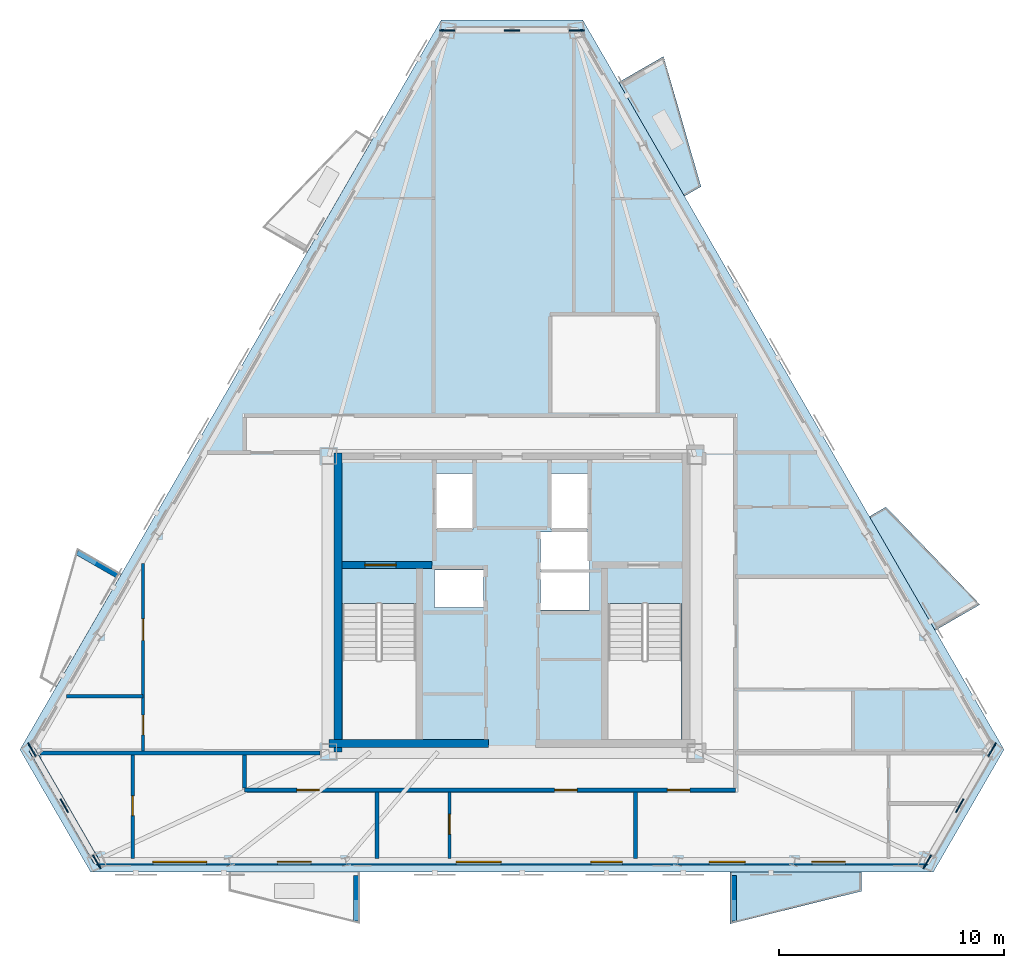
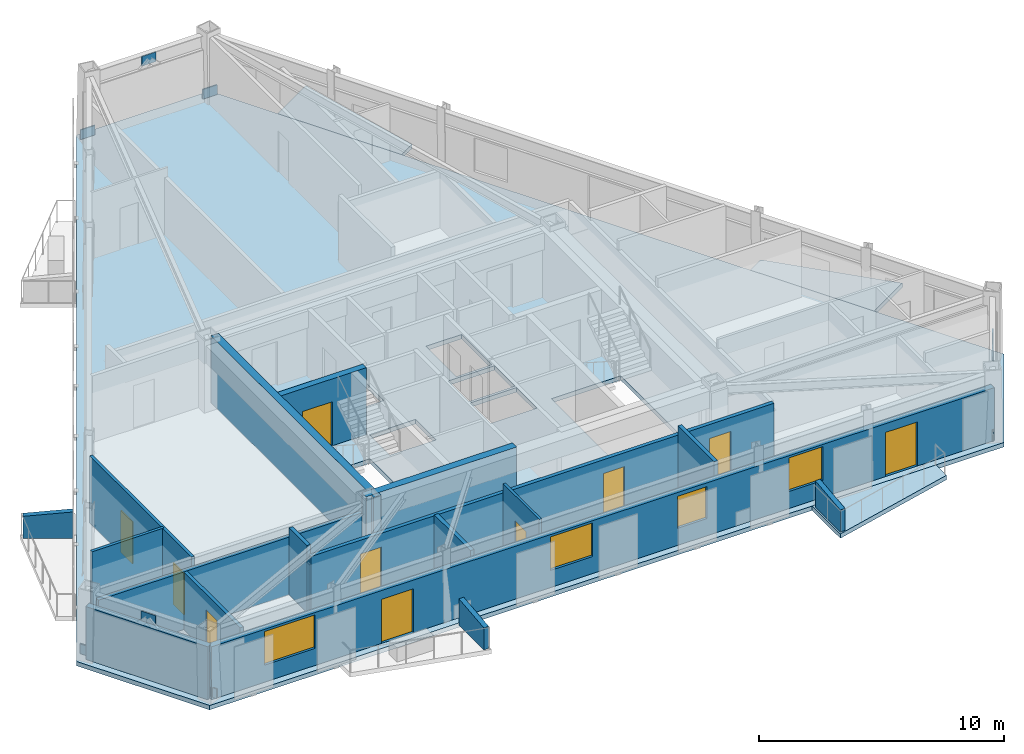
# One storey, part 2 of 8: 17 walls, 10 doors, 9 plates, 4 slabs, 4 windows, 14 openings.
"""IFC4 building model written with IfcOpenShell, lengths in metres."""

from ifc_helpers import new_model, si_unit, direction, frame, frame_2d, origin, origin_2d, place, context, subcontext, project, spatial, polyline, rectangle, outline, extrude, material, layer, layer_set, type_object, element, fill, save


model = new_model("IFC4")

# Units and contexts
model_context = context("Model", 3, precision=1e-05, world=origin(), true_north=direction((0.0, 1.0)))
body_context = subcontext(model_context, "Body", "Model", "MODEL_VIEW")
ifc_project = project(units=[si_unit("LENGTHUNIT", "METRE"), si_unit("AREAUNIT", "SQUARE_METRE"), si_unit("VOLUMEUNIT", "CUBIC_METRE"), si_unit("PLANEANGLEUNIT", "RADIAN"), si_unit("MASSUNIT", "GRAM", prefix="KILO")], contexts=[model_context])

# Site, building, storey
site_placement = place(None, origin())
site = spatial("IfcSite", under=ifc_project, at=site_placement, CompositionType="ELEMENT")
building_placement = place(site_placement, origin())
building = spatial("IfcBuilding", under=site, at=building_placement, Name="Oramaril Tower", CompositionType="ELEMENT")
storey_placement = place(building_placement, frame((0.0, 0.0, 241.5)))
storey = spatial("IfcBuildingStorey", under=building, at=storey_placement, Name="L64", CompositionType="ELEMENT", Elevation=241.5)

# Plates
ifc_material_1 = material(Name="Steel ASTM A572 Gr 50", Category="steel")
ifc_layer_1 = layer(ifc_material_1, 0.06005859375)
ifc_layer_set_1 = layer_set([ifc_layer_1], Name="PLT-G60")
plate_type = type_object("IfcPlateType", Name="PLT-G60", PredefinedType="USERDEFINED", material=ifc_layer_set_1)
for number, where, z_axis, x_axis, name in (
    (1, (17.58349609375, 8.601318359375, 2.75341796875), (0.0, 0.0, 1.0), (0.500001511499, -0.866024531118, 0.0), "L64 Chevron Brace Gusset Plate BN-1"),
    (2, (16.142578125, 11.096923828125, 0.10009765625), (0.0, 0.0, 1.0), (0.500001511499, -0.866024531118, 0.0), "L64 Chevron Brace Gusset Plate BN-1"),
    (3, (19.0244140625, 6.10546875, 0.10009765625), (0.0, 0.0, 1.0), (0.500001511499, -0.866024531118, 0.0), "L64 Chevron Brace Gusset Plate BN-1"),
    (4, (57.41650390625, 8.601318359375, 2.75341796875), (0.0, 0.0, 1.0), (0.500001511499, 0.866024531118, 0.0), "L64 Chevron Brace Gusset Plate BN-1"),
    (5, (55.9755859375, 6.10546875, 0.10009765625), (0.0, 0.0, 1.0), (0.500001511499, 0.866024531118, 0.0), "L64 Chevron Brace Gusset Plate BN-1"),
    (6, (58.857421875, 11.096923828125, 0.10009765625), (0.0, 0.0, 1.0), (0.500001511499, 0.866024531118, 0.0), "L64 Chevron Brace Gusset Plate BN-1"),
    (7, (37.5, 43.09765625, 2.75341796875), (0.0, 0.0, 1.0), (-1.0, 0.0, 0.0), "L64 Chevron Brace Gusset Plate BN-1"),
    (8, (40.3818359375, 43.09765625, 0.10009765625), (0.0, 0.0, 1.0), (-1.0, 0.0, 0.0), "L64 Chevron Brace Gusset Plate BN-1"),
    (9, (34.6181640625, 43.09765625, 0.10009765625), (0.0, 0.0, 1.0), (-1.0, 0.0, 0.0), "L64 Chevron Brace Gusset Plate BN-1"),
):
    element("IfcPlate", number, at=place(storey_placement, frame(where, z_axis=z_axis, x_axis=x_axis)), inside=storey, type_object=plate_type, Name=name, ObjectType="GUSSET", PredefinedType="USERDEFINED", context=body_context, shape_type="SweptSolid", body=[
        extrude(rectangle(XDim=0.679931640625, YDim=0.06005859375, at=origin_2d()), origin(), (0.0, 0.0, 1.0), 0.47998046875),
    ])

# Slabs
ifc_material_2 = material(Name="Concrete C40/50", Category="concrete")
ifc_layer_2 = layer(ifc_material_2, 0.199951171875)
ifc_layer_set_2 = layer_set([ifc_layer_2], Name="SLT-BAL20")
slab_type_1 = type_object("IfcSlabType", Name="SLT-BAL20", PredefinedType="FLOOR", material=ifc_layer_set_2)
slab_1_placement = place(storey_placement, frame((0.0, 0.0, -0.219970703125)))
element("IfcSlab", 10, at=slab_1_placement, inside=storey, type_object=slab_type_1, Name="L64 Cantilevered Balcony Slab L64-BAL-S2", PredefinedType="FLOOR", context=body_context, shape_type="SweptSolid", body=[
    extrude(outline(polyline([(47.191162109375, 5.6474609375), (53.041259765625, 5.6474609375), (53.041259765625, 4.79541015625), (47.191162109375, 3.345458984375), (47.191162109375, 5.6474609375)])), origin(), (0.0, 0.0, 1.0), 0.219970703125),
])
slab_2_placement = place(storey_placement, frame((0.0, 0.0, -0.219970703125)))
element("IfcSlab", 11, at=slab_2_placement, inside=storey, type_object=slab_type_1, Name="L64 Cantilevered Balcony Slab L64-BAL-NE1", PredefinedType="FLOOR", context=body_context, shape_type="SweptSolid", body=[
    extrude(outline(polyline([(56.324462890625, 16.400390625), (53.3994140625, 21.466552734375), (54.13720703125, 21.892578125), (58.318115234375, 17.55126953125), (56.324462890625, 16.400390625)])), origin(), (0.0, 0.0, 1.0), 0.219970703125),
])
ifc_material_3 = material(Name="Concrete C50/60", Category="concrete")
ifc_layer_3 = layer(ifc_material_3, 0.219970703125)
ifc_layer_set_3 = layer_set([ifc_layer_3], Name="SLT-FLR22")
slab_type_2 = type_object("IfcSlabType", Name="SLT-FLR22", PredefinedType="FLOOR", material=ifc_layer_set_3)
slab_3_placement = place(storey_placement, frame((0.0, 0.0, -0.219970703125)))
element("IfcSlab", 12, at=slab_3_placement, inside=storey, type_object=slab_type_2, Name="L64 Structural Floor Slab", PredefinedType="FLOOR", context=body_context, shape_type="SweptSolid", body=[
    extrude(outline(polyline([(15.611328125, 11.096923828125), (18.7587890625, 5.6455078125), (56.2412109375, 5.6455078125), (59.388671875, 11.096923828125), (40.6474609375, 43.5576171875), (34.3525390625, 43.5576171875), (15.611328125, 11.096923828125)]), holes=[polyline([(29.949951171875, 17.58935546875), (29.949951171875, 11.550048828125), (33.219970703125, 11.550048828125), (33.219970703125, 17.58935546875), (29.949951171875, 17.58935546875)]), polyline([(41.780029296875, 17.58935546875), (41.780029296875, 11.550048828125), (45.050048828125, 11.550048828125), (45.050048828125, 17.58935546875), (41.780029296875, 17.58935546875)]), polyline([(34.110107421875, 20.909912109375), (35.7900390625, 20.909912109375), (35.7900390625, 23.389892578125), (34.110107421875, 23.389892578125), (34.110107421875, 20.909912109375)]), polyline([(39.2099609375, 20.909912109375), (40.889892578125, 20.909912109375), (40.889892578125, 23.389892578125), (39.2099609375, 23.389892578125), (39.2099609375, 20.909912109375)]), polyline([(34.06005859375, 17.409912109375), (36.239990234375, 17.409912109375), (36.239990234375, 19.090087890625), (34.06005859375, 19.090087890625), (34.06005859375, 17.409912109375)]), polyline([(38.760009765625, 17.31005859375), (40.93994140625, 17.31005859375), (40.93994140625, 18.989990234375), (38.760009765625, 18.989990234375), (38.760009765625, 17.31005859375)]), polyline([(38.760009765625, 19.110107421875), (40.93994140625, 19.110107421875), (40.93994140625, 20.7900390625), (38.760009765625, 20.7900390625), (38.760009765625, 19.110107421875)])]), origin(), (0.0, 0.0, 1.0), 0.219970703125),
])
ifc_material_4 = material(Name="Concrete C40/50", Category="concrete")
ifc_layer_4 = layer(ifc_material_4, 0.18994140625)
ifc_layer_set_4 = layer_set([ifc_layer_4], Name="SLT-PLN19")
slab_type_3 = type_object("IfcSlabType", Name="SLT-PLN19", PredefinedType="FLOOR", material=ifc_layer_set_4)
slab_4_placement = place(storey_placement, frame((0.0, 0.0, -0.219970703125)))
element("IfcSlab", 13, at=slab_4_placement, inside=storey, type_object=slab_type_3, Name="L64 Tree Planter Balcony Slab L64-BAL-NE2", PredefinedType="FLOOR", context=body_context, shape_type="SweptSolid", body=[
    extrude(outline(polyline([(45.170654296875, 35.71923828125), (42.24560546875, 40.785400390625), (44.2392578125, 41.936279296875), (45.908447265625, 36.145263671875), (45.170654296875, 35.71923828125)])), origin(), (0.0, 0.0, 1.0), 0.219970703125),
])

# Wall
ifc_material_5 = material(Name="Warm Cream Limestone", Category="masonry")
ifc_layer_5 = layer(ifc_material_5, 0.2900390625)
ifc_layer_set_5 = layer_set([ifc_layer_5], Name="WT-EXT29")
wall_type_1 = type_object("IfcWallType", Name="WT-EXT29", PredefinedType="SOLIDWALL", material=ifc_layer_set_5)
wall_1_placement = place(storey_placement, frame((16.142578125, 11.096923828125, 0.0), z_axis=(0.0, 0.0, 1.0), x_axis=(0.500002342851, -0.866024051134, 0.0)))
element("IfcWall", 14, at=wall_1_placement, inside=storey, type_object=wall_type_1, Name="L64 Tower Limestone Facade Wall 1M", PredefinedType="SOLIDWALL", context=body_context, shape_type="SweptSolid", body=[
    extrude(rectangle(XDim=5.763671875, YDim=0.2900390625, at=frame_2d((2.8818359375, 0.0))), origin(), (0.0, 0.0, 1.0), 2.636962890625),
])

# Wall, openings, doors, windows
wall_2_placement = place(storey_placement, frame((19.0244140625, 6.10546875, 0.0), z_axis=(0.0, 0.0, 1.0), x_axis=(1.0, 0.0, 0.0)))
wall_2 = element("IfcWall", 15, at=wall_2_placement, inside=storey, type_object=wall_type_1, Name="L64 Tower Limestone Facade Wall 2M", PredefinedType="SOLIDWALL", context=body_context, shape_type="SweptSolid", body=[
    extrude(rectangle(XDim=36.951171875, YDim=0.2900390625, at=frame_2d((18.4755859375, 0.0))), origin(), (0.0, 0.0, 1.0), 2.636962890625),
])
opening_1_placement = place(wall_2_placement, frame((8.034423828125, 0.0, 0.0)))
opening_1 = element("IfcOpeningElement", 16, at=opening_1_placement, cuts=wall_2, Name="Opening D-L64-BAL-S1", PredefinedType="OPENING", context=body_context, shape_type="SweptSolid", body=[
    extrude(rectangle(XDim=1.5, YDim=2.199951171875, at=frame_2d((0.75, 1.10009765625))), frame((0.0, 0.14501953125, 0.0), z_axis=(0.0, -1.0, 0.0), x_axis=(1.0, 0.0, 0.0)), (0.0, 0.0, 1.0), 0.2900390625),
])
opening_2_placement = place(wall_2_placement, frame((31.811767578125, 0.0, 0.0)))
opening_2 = element("IfcOpeningElement", 17, at=opening_2_placement, cuts=wall_2, Name="Opening D-L64-BAL-S2", PredefinedType="OPENING", context=body_context, shape_type="SweptSolid", body=[
    extrude(rectangle(XDim=1.5, YDim=2.199951171875, at=frame_2d((0.75, 1.10009765625))), frame((0.0, 0.14501953125, 0.0), z_axis=(0.0, -1.0, 0.0), x_axis=(1.0, 0.0, 0.0)), (0.0, 0.0, 1.0), 0.2900390625),
])
opening_3_placement = place(wall_2_placement, frame((2.494384765625, 0.0, 0.85009765625)))
opening_3 = element("IfcOpeningElement", 18, at=opening_3_placement, cuts=wall_2, Name="Opening WN-03", PredefinedType="OPENING", context=body_context, shape_type="SweptSolid", body=[
    extrude(rectangle(XDim=2.39990234375, YDim=1.677001953125, at=frame_2d((1.199951171875, 0.83837890625))), frame((0.0, 0.14501953125, 0.0), z_axis=(0.0, -1.0, 0.0), x_axis=(1.0, 0.0, 0.0)), (0.0, 0.0, 1.0), 0.2900390625),
])
opening_4_placement = place(wall_2_placement, frame((15.989501953125, 0.0, 0.85009765625)))
opening_4 = element("IfcOpeningElement", 19, at=opening_4_placement, cuts=wall_2, Name="Opening WN-05", PredefinedType="OPENING", context=body_context, shape_type="SweptSolid", body=[
    extrude(rectangle(XDim=2.0, YDim=1.677001953125, at=frame_2d((1.0, 0.83837890625))), frame((0.0, 0.14501953125, 0.0), z_axis=(0.0, -1.0, 0.0), x_axis=(1.0, 0.0, 0.0)), (0.0, 0.0, 1.0), 0.2900390625),
])
opening_5_placement = place(wall_2_placement, frame((21.981689453125, 0.0, 0.85009765625)))
opening_5 = element("IfcOpeningElement", 20, at=opening_5_placement, cuts=wall_2, Name="Opening WN-08", PredefinedType="OPENING", context=body_context, shape_type="SweptSolid", body=[
    extrude(rectangle(XDim=1.39990234375, YDim=1.60009765625, at=frame_2d((0.699951171875, 0.800048828125))), frame((0.0, 0.14501953125, 0.0), z_axis=(0.0, -1.0, 0.0), x_axis=(1.0, 0.0, 0.0)), (0.0, 0.0, 1.0), 0.2900390625),
])
opening_6_placement = place(wall_2_placement, frame((27.24853515625, 0.0, 0.85009765625)))
opening_6 = element("IfcOpeningElement", 21, at=opening_6_placement, cuts=wall_2, Name="Opening WN-07", PredefinedType="OPENING", context=body_context, shape_type="SweptSolid", body=[
    extrude(rectangle(XDim=1.60009765625, YDim=1.677001953125, at=frame_2d((0.800048828125, 0.83837890625))), frame((0.0, 0.14501953125, 0.0), z_axis=(0.0, -1.0, 0.0), x_axis=(1.0, 0.0, 0.0)), (0.0, 0.0, 1.0), 0.2900390625),
])
ifc_material_6 = material(Name="Anodised Aluminium 6063-T6", Category="aluminium")
door_type_1 = type_object("IfcDoorType", Name="DT-BAL", OperationType="NOTDEFINED", PredefinedType="DOOR", material=ifc_material_6)
door_1_placement = place(opening_1_placement, origin())
door_1 = element("IfcDoor", 22, at=door_1_placement, inside=storey, type_object=door_type_1, Name="L64 Balcony Glazed Door L64-BAL-S1", OperationType="SINGLE_SWING_LEFT", OverallHeight=2.199951171875, OverallWidth=1.5, PredefinedType="DOOR", context=body_context, shape_type="SweptSolid", body=[
    extrude(rectangle(XDim=1.5, YDim=2.199951171875, at=frame_2d((0.75, 1.10009765625))), frame((0.0, 0.02490234375, 0.0), z_axis=(0.0, -1.0, 0.0), x_axis=(1.0, 0.0, 0.0)), (0.0, 0.0, 1.0), 0.050048828125),
])
fill(opening_1, door_1)
door_2_placement = place(opening_2_placement, origin())
door_2 = element("IfcDoor", 23, at=door_2_placement, inside=storey, type_object=door_type_1, Name="L64 Balcony Glazed Door L64-BAL-S2", OperationType="SINGLE_SWING_RIGHT", OverallHeight=2.199951171875, OverallWidth=1.5, PredefinedType="DOOR", context=body_context, shape_type="SweptSolid", body=[
    extrude(rectangle(XDim=1.5, YDim=2.199951171875, at=frame_2d((0.75, 1.10009765625))), frame((0.0, 0.02490234375, 0.0), z_axis=(0.0, -1.0, 0.0), x_axis=(1.0, 0.0, 0.0)), (0.0, 0.0, 1.0), 0.050048828125),
])
fill(opening_2, door_2)
ifc_material_7 = material(Name="Coastal Low-E Insulated Glass", Category="glass")
window_type_1 = type_object("IfcWindowType", Name="WNT-03", PartitioningType="SINGLE_PANEL", PredefinedType="WINDOW", material=ifc_material_7)
window_1_placement = place(opening_3_placement, origin())
window_1 = element("IfcWindow", 24, at=window_1_placement, inside=storey, type_object=window_type_1, Name="L64 Chicago Bay Window WN-03", OverallHeight=1.677001953125, OverallWidth=2.39990234375, PartitioningType="SINGLE_PANEL", PredefinedType="WINDOW", context=body_context, shape_type="SweptSolid", body=[
    extrude(rectangle(XDim=2.39990234375, YDim=1.677001953125, at=frame_2d((1.199951171875, 0.83837890625))), frame((0.0, 0.030029296875, 0.0), z_axis=(0.0, -1.0, 0.0), x_axis=(1.0, 0.0, 0.0)), (0.0, 0.0, 1.0), 0.06005859375),
])
fill(opening_3, window_1)
ifc_material_8 = material(Name="Coastal Low-E Insulated Glass", Category="glass")
window_type_2 = type_object("IfcWindowType", Name="WNT-05", PartitioningType="SINGLE_PANEL", PredefinedType="WINDOW", material=ifc_material_8)
window_2_placement = place(opening_4_placement, origin())
window_2 = element("IfcWindow", 25, at=window_2_placement, inside=storey, type_object=window_type_2, Name="L64 Chicago Bay Window WN-05", OverallHeight=1.677001953125, OverallWidth=2.0, PartitioningType="SINGLE_PANEL", PredefinedType="WINDOW", context=body_context, shape_type="SweptSolid", body=[
    extrude(rectangle(XDim=2.0, YDim=1.677001953125, at=frame_2d((1.0, 0.83837890625))), frame((0.0, 0.030029296875, 0.0), z_axis=(0.0, -1.0, 0.0), x_axis=(1.0, 0.0, 0.0)), (0.0, 0.0, 1.0), 0.06005859375),
])
fill(opening_4, window_2)
ifc_material_9 = material(Name="Coastal Low-E Insulated Glass", Category="glass")
window_type_3 = type_object("IfcWindowType", Name="WNT-07", PartitioningType="SINGLE_PANEL", PredefinedType="WINDOW", material=ifc_material_9)
window_3_placement = place(opening_6_placement, origin())
window_3 = element("IfcWindow", 26, at=window_3_placement, inside=storey, type_object=window_type_3, Name="L64 Chicago Bay Window WN-07", OverallHeight=1.677001953125, OverallWidth=1.60009765625, PartitioningType="SINGLE_PANEL", PredefinedType="WINDOW", context=body_context, shape_type="SweptSolid", body=[
    extrude(rectangle(XDim=1.60009765625, YDim=1.677001953125, at=frame_2d((0.800048828125, 0.83837890625))), frame((0.0, 0.030029296875, 0.0), z_axis=(0.0, -1.0, 0.0), x_axis=(1.0, 0.0, 0.0)), (0.0, 0.0, 1.0), 0.06005859375),
])
fill(opening_6, window_3)
ifc_material_10 = material(Name="Coastal Low-E Insulated Glass", Category="glass")
window_type_4 = type_object("IfcWindowType", Name="WNT-08", PartitioningType="SINGLE_PANEL", PredefinedType="WINDOW", material=ifc_material_10)
window_4_placement = place(opening_5_placement, origin())
window_4 = element("IfcWindow", 27, at=window_4_placement, inside=storey, type_object=window_type_4, Name="L64 Chicago Bay Window WN-08", OverallHeight=1.60009765625, OverallWidth=1.39990234375, PartitioningType="SINGLE_PANEL", PredefinedType="WINDOW", context=body_context, shape_type="SweptSolid", body=[
    extrude(rectangle(XDim=1.39990234375, YDim=1.60009765625, at=frame_2d((0.699951171875, 0.800048828125))), frame((0.0, 0.030029296875, 0.0), z_axis=(0.0, -1.0, 0.0), x_axis=(1.0, 0.0, 0.0)), (0.0, 0.0, 1.0), 0.06005859375),
])
fill(opening_5, window_4)

# Walls
ifc_material_11 = material(Name="Concrete C40/50", Category="concrete")
ifc_layer_6 = layer(ifc_material_11, 0.22998046875)
ifc_layer_set_6 = layer_set([ifc_layer_6], Name="WT-PRP23")
wall_type_2 = type_object("IfcWallType", Name="WT-PRP23", PredefinedType="PARAPET", material=ifc_layer_set_6)
for number, where, z_axis, x_axis, name in (
    (28, (30.5537109375, 5.507568359375, 0.0), (0.0, 0.0, 1.0), (0.0, -1.0, 0.0), "L64 Trapezoidal Balcony Frame Cheek L64-BAL-S1-R"),
    (29, (47.37109375, 5.507568359375, 0.0), (0.0, 0.0, 1.0), (0.0, -1.0, 0.0), "L64 Trapezoidal Balcony Frame Cheek L64-BAL-S2-L"),
    (30, (19.927001953125, 18.847412109375, 0.0), (0.0, 0.0, 1.0), (-0.866042246008, 0.499970827278, 0.0), "L64 Trapezoidal Balcony Frame Cheek L64-BAL-NW2-L"),
):
    element("IfcWall", number, at=place(storey_placement, frame(where, z_axis=z_axis, x_axis=x_axis)), inside=storey, type_object=wall_type_2, Name=name, PredefinedType="PARAPET", context=body_context, shape_type="SweptSolid", body=[
        extrude(outline(polyline([(0.0, 0.0), (2.0419921875, 0.0), (2.0419921875, 1.10009765625), (0.0, 1.320068359375), (0.0, 0.0)])), frame((0.0, 0.114990234375, 0.0), z_axis=(0.0, -1.0, 0.0), x_axis=(1.0, 0.0, 0.0)), (0.0, 0.0, 1.0), 0.22998046875),
    ])

# Wall, opening, door
ifc_material_12 = material(Name="Acoustic Gypsum Board Partition")
ifc_layer_7 = layer(ifc_material_12, 0.1201171875)
ifc_layer_set_7 = layer_set([ifc_layer_7], Name="WT-PT12")
wall_type_3 = type_object("IfcWallType", Name="WT-PT12", PredefinedType="PARTITIONING", material=ifc_layer_set_7)
wall_3_placement = place(storey_placement, frame((34.719970703125, 6.25439453125, 0.0), z_axis=(0.0, 0.0, 1.0), x_axis=(0.0, 1.0, 0.0)))
wall_3 = element("IfcWall", 31, at=wall_3_placement, inside=storey, type_object=wall_type_3, Name="L64 Interior Partition PT-12", PredefinedType="PARTITIONING", context=body_context, shape_type="SweptSolid", body=[
    extrude(rectangle(XDim=2.95166015625, YDim=0.1201171875, at=frame_2d((1.475830078125, 0.0))), origin(), (0.0, 0.0, 1.0), 3.340087890625),
])
opening_7_placement = place(wall_3_placement, frame((1.083251953125, 0.0, 0.0)))
opening_7 = element("IfcOpeningElement", 32, at=opening_7_placement, cuts=wall_3, Name="Opening D-L64-19", PredefinedType="OPENING", context=body_context, shape_type="SweptSolid", body=[
    extrude(rectangle(XDim=0.8798828125, YDim=2.080078125, at=frame_2d((0.43994140625, 1.0400390625))), frame((0.0, 0.06005859375, 0.0), z_axis=(0.0, -1.0, 0.0), x_axis=(1.0, 0.0, 0.0)), (0.0, 0.0, 1.0), 0.1201171875),
])
ifc_material_13 = material(Name="FSC Brazilian Freijo Hardwood", Category="wood")
door_type_2 = type_object("IfcDoorType", Name="DT-BATH", OperationType="NOTDEFINED", PredefinedType="DOOR", material=ifc_material_13)
door_3_placement = place(opening_7_placement, origin())
door_3 = element("IfcDoor", 33, at=door_3_placement, inside=storey, type_object=door_type_2, Name="L64 Flat L64-U2 Bathroom Door D-L64-19", OperationType="SINGLE_SWING_LEFT", OverallHeight=2.080078125, OverallWidth=0.8798828125, PredefinedType="DOOR", context=body_context, shape_type="SweptSolid", body=[
    extrude(rectangle(XDim=0.8798828125, YDim=2.080078125, at=frame_2d((0.43994140625, 1.0400390625))), frame((0.0, 0.02490234375, 0.0), z_axis=(0.0, -1.0, 0.0), x_axis=(1.0, 0.0, 0.0)), (0.0, 0.0, 1.0), 0.050048828125),
])
fill(opening_7, door_3)

# Wall
ifc_material_14 = material(Name="Acoustic Gypsum Board Partition")
ifc_layer_8 = layer(ifc_material_14, 0.139892578125)
ifc_layer_set_8 = layer_set([ifc_layer_8], Name="WT-PT14")
wall_type_4 = type_object("IfcWallType", Name="WT-PT14", PredefinedType="PARTITIONING", material=ifc_layer_set_8)
wall_4_placement = place(storey_placement, frame((17.684814453125, 13.469970703125, 0.0), z_axis=(0.0, 0.0, 1.0), x_axis=(1.0, 0.0, 0.0)))
element("IfcWall", 34, at=wall_4_placement, inside=storey, type_object=wall_type_4, Name="L64 Interior Partition PT-14", PredefinedType="PARTITIONING", context=body_context, shape_type="SweptSolid", body=[
    extrude(rectangle(XDim=3.406005859375, YDim=0.139892578125, at=frame_2d((1.703125, 0.0))), origin(), (0.0, 0.0, 1.0), 3.340087890625),
])

# Wall, openings, doors
wall_5_placement = place(storey_placement, frame((21.090087890625, 11.0439453125, 0.0), z_axis=(0.0, 0.0, 1.0), x_axis=(0.0, 1.0, 0.0)))
wall_5 = element("IfcWall", 35, at=wall_5_placement, inside=storey, type_object=wall_type_4, Name="L64 Interior Partition PT-14", PredefinedType="PARTITIONING", context=body_context, shape_type="SweptSolid", body=[
    extrude(rectangle(XDim=8.32421875, YDim=0.139892578125, at=frame_2d((4.162109375, 0.0))), origin(), (0.0, 0.0, 1.0), 3.340087890625),
])
opening_8_placement = place(wall_5_placement, frame((0.7109375, 0.0, 0.0)))
opening_8 = element("IfcOpeningElement", 36, at=opening_8_placement, cuts=wall_5, Name="Opening D-L64-17", PredefinedType="OPENING", context=body_context, shape_type="SweptSolid", body=[
    extrude(rectangle(XDim=0.8798828125, YDim=2.080078125, at=frame_2d((0.43994140625, 1.0400390625))), frame((0.0, 0.06982421875, 0.0), z_axis=(0.0, -1.0, 0.0), x_axis=(1.0, 0.0, 0.0)), (0.0, 0.0, 1.0), 0.139892578125),
])
opening_9_placement = place(wall_5_placement, frame((4.914794921875, 0.0, 0.0)))
opening_9 = element("IfcOpeningElement", 37, at=opening_9_placement, cuts=wall_5, Name="Opening D-L64-18", PredefinedType="OPENING", context=body_context, shape_type="SweptSolid", body=[
    extrude(rectangle(XDim=0.949951171875, YDim=2.10009765625, at=frame_2d((0.47509765625, 1.050048828125))), frame((0.0, 0.06982421875, 0.0), z_axis=(0.0, -1.0, 0.0), x_axis=(1.0, 0.0, 0.0)), (0.0, 0.0, 1.0), 0.139892578125),
])
door_4_placement = place(opening_8_placement, origin())
door_4 = element("IfcDoor", 38, at=door_4_placement, inside=storey, type_object=door_type_2, Name="L64 Flat L64-U4 Bathroom Door D-L64-17", OperationType="SINGLE_SWING_LEFT", OverallHeight=2.080078125, OverallWidth=0.8798828125, PredefinedType="DOOR", context=body_context, shape_type="SweptSolid", body=[
    extrude(rectangle(XDim=0.8798828125, YDim=2.080078125, at=frame_2d((0.43994140625, 1.0400390625))), frame((0.0, 0.02490234375, 0.0), z_axis=(0.0, -1.0, 0.0), x_axis=(1.0, 0.0, 0.0)), (0.0, 0.0, 1.0), 0.050048828125),
])
fill(opening_8, door_4)
ifc_material_15 = material(Name="FSC Brazilian Freijo Hardwood", Category="wood")
door_type_3 = type_object("IfcDoorType", Name="DT-STDY", OperationType="NOTDEFINED", PredefinedType="DOOR", material=ifc_material_15)
door_5_placement = place(opening_9_placement, origin())
door_5 = element("IfcDoor", 39, at=door_5_placement, inside=storey, type_object=door_type_3, Name="L64 Flat L64-U4 Kitchen Door D-L64-18", OperationType="SINGLE_SWING_RIGHT", OverallHeight=2.10009765625, OverallWidth=0.949951171875, PredefinedType="DOOR", context=body_context, shape_type="SweptSolid", body=[
    extrude(rectangle(XDim=0.949951171875, YDim=2.10009765625, at=frame_2d((0.47509765625, 1.050048828125))), frame((0.0, 0.02490234375, 0.0), z_axis=(0.0, -1.0, 0.0), x_axis=(1.0, 0.0, 0.0)), (0.0, 0.0, 1.0), 0.050048828125),
])
fill(opening_9, door_5)

# Wall, opening, door
ifc_material_16 = material(Name="Acoustic Gypsum Board Partition")
ifc_layer_9 = layer(ifc_material_16, 0.159912109375)
ifc_layer_set_9 = layer_set([ifc_layer_9], Name="WT-PT16")
wall_type_5 = type_object("IfcWallType", Name="WT-PT16", PredefinedType="PARTITIONING", material=ifc_layer_set_9)
wall_6_placement = place(storey_placement, frame((20.6298828125, 6.25439453125, 0.0), z_axis=(0.0, 0.0, 1.0), x_axis=(0.0, 1.0, 0.0)))
wall_6 = element("IfcWall", 40, at=wall_6_placement, inside=storey, type_object=wall_type_5, Name="L64 Interior Partition PT-16", PredefinedType="PARTITIONING", context=body_context, shape_type="SweptSolid", body=[
    extrude(rectangle(XDim=4.6015625, YDim=0.159912109375, at=frame_2d((2.30078125, 0.0))), origin(), (0.0, 0.0, 1.0), 2.873046875),
])
opening_10_placement = place(wall_6_placement, frame((1.908203125, 0.0, 0.0)))
opening_10 = element("IfcOpeningElement", 41, at=opening_10_placement, cuts=wall_6, Name="Opening D-L64-16", PredefinedType="OPENING", context=body_context, shape_type="SweptSolid", body=[
    extrude(rectangle(XDim=0.8798828125, YDim=2.080078125, at=frame_2d((0.43994140625, 1.0400390625))), frame((0.0, 0.080078125, 0.0), z_axis=(0.0, -1.0, 0.0), x_axis=(1.0, 0.0, 0.0)), (0.0, 0.0, 1.0), 0.159912109375),
])
door_6_placement = place(opening_10_placement, origin())
door_6 = element("IfcDoor", 42, at=door_6_placement, inside=storey, type_object=door_type_2, Name="L64 Flat L64-U1 Bathroom Door D-L64-16", OperationType="SINGLE_SWING_RIGHT", OverallHeight=2.080078125, OverallWidth=0.8798828125, PredefinedType="DOOR", context=body_context, shape_type="SweptSolid", body=[
    extrude(rectangle(XDim=0.8798828125, YDim=2.080078125, at=frame_2d((0.43994140625, 1.0400390625))), frame((0.0, 0.02490234375, 0.0), z_axis=(0.0, -1.0, 0.0), x_axis=(1.0, 0.0, 0.0)), (0.0, 0.0, 1.0), 0.050048828125),
])
fill(opening_10, door_6)

# Wall, openings, doors
ifc_material_17 = material(Name="Autoclaved Cellular Concrete Block", Category="concrete")
ifc_layer_10 = layer(ifc_material_17, 0.179931640625)
ifc_layer_set_10 = layer_set([ifc_layer_10], Name="WT-PT18")
wall_type_6 = type_object("IfcWallType", Name="WT-PT18", PredefinedType="PARTITIONING", material=ifc_layer_set_10)
wall_7_placement = place(storey_placement, frame((25.60009765625, 9.300048828125, 0.0), z_axis=(0.0, 0.0, 1.0), x_axis=(1.0, 0.0, 0.0)))
wall_7 = element("IfcWall", 43, at=wall_7_placement, inside=storey, type_object=wall_type_6, Name="L64 Interior Partition PT-18", PredefinedType="PARTITIONING", context=body_context, shape_type="SweptSolid", body=[
    extrude(rectangle(XDim=21.849853515625, YDim=0.179931640625, at=frame_2d((10.9248046875, 0.0))), origin(), (0.0, 0.0, 1.0), 2.873046875),
])
opening_11_placement = place(wall_7_placement, frame((2.3251953125, 0.0, 0.0)))
opening_11 = element("IfcOpeningElement", 44, at=opening_11_placement, cuts=wall_7, Name="Opening D-L64-01", PredefinedType="OPENING", context=body_context, shape_type="SweptSolid", body=[
    extrude(rectangle(XDim=1.0, YDim=2.179931640625, at=frame_2d((0.5, 1.08984375))), frame((0.0, 0.08984375, 0.0), z_axis=(0.0, -1.0, 0.0), x_axis=(1.0, 0.0, 0.0)), (0.0, 0.0, 1.0), 0.179931640625),
])
opening_12_placement = place(wall_7_placement, frame((13.793212890625, 0.0, 0.0)))
opening_12 = element("IfcOpeningElement", 45, at=opening_12_placement, cuts=wall_7, Name="Opening D-L64-02", PredefinedType="OPENING", context=body_context, shape_type="SweptSolid", body=[
    extrude(rectangle(XDim=1.0, YDim=2.179931640625, at=frame_2d((0.5, 1.08984375))), frame((0.0, 0.08984375, 0.0), z_axis=(0.0, -1.0, 0.0), x_axis=(1.0, 0.0, 0.0)), (0.0, 0.0, 1.0), 0.179931640625),
])
opening_13_placement = place(wall_7_placement, frame((18.81201171875, 0.0, 0.0)))
opening_13 = element("IfcOpeningElement", 46, at=opening_13_placement, cuts=wall_7, Name="Opening D-L64-03", PredefinedType="OPENING", context=body_context, shape_type="SweptSolid", body=[
    extrude(rectangle(XDim=1.0, YDim=2.179931640625, at=frame_2d((0.5, 1.08984375))), frame((0.0, 0.08984375, 0.0), z_axis=(0.0, -1.0, 0.0), x_axis=(1.0, 0.0, 0.0)), (0.0, 0.0, 1.0), 0.179931640625),
])
ifc_material_18 = material(Name="FSC Brazilian Freijo Hardwood", Category="wood")
door_type_4 = type_object("IfcDoorType", Name="DT-APT", OperationType="NOTDEFINED", PredefinedType="DOOR", material=ifc_material_18)
door_7_placement = place(opening_11_placement, origin())
door_7 = element("IfcDoor", 47, at=door_7_placement, inside=storey, type_object=door_type_4, Name="L64 Flat L64-U1 Kitchen and Studio Apartment Door D-L64-01", OperationType="SINGLE_SWING_LEFT", OverallHeight=2.179931640625, OverallWidth=1.0, PredefinedType="DOOR", context=body_context, shape_type="SweptSolid", body=[
    extrude(rectangle(XDim=1.0, YDim=2.179931640625, at=frame_2d((0.5, 1.08984375))), frame((0.0, 0.02490234375, 0.0), z_axis=(0.0, -1.0, 0.0), x_axis=(1.0, 0.0, 0.0)), (0.0, 0.0, 1.0), 0.050048828125),
])
fill(opening_11, door_7)
door_8_placement = place(opening_12_placement, origin())
door_8 = element("IfcDoor", 48, at=door_8_placement, inside=storey, type_object=door_type_4, Name="L64 Flat L64-U2 Kitchen and Studio Apartment Door D-L64-02", OperationType="SINGLE_SWING_RIGHT", OverallHeight=2.179931640625, OverallWidth=1.0, PredefinedType="DOOR", context=body_context, shape_type="SweptSolid", body=[
    extrude(rectangle(XDim=1.0, YDim=2.179931640625, at=frame_2d((0.5, 1.08984375))), frame((0.0, 0.02490234375, 0.0), z_axis=(0.0, -1.0, 0.0), x_axis=(1.0, 0.0, 0.0)), (0.0, 0.0, 1.0), 0.050048828125),
])
fill(opening_12, door_8)
door_9_placement = place(opening_13_placement, origin())
door_9 = element("IfcDoor", 49, at=door_9_placement, inside=storey, type_object=door_type_4, Name="L64 Flat L64-U3 Studio Apartment Door D-L64-03", OperationType="SINGLE_SWING_LEFT", OverallHeight=2.179931640625, OverallWidth=1.0, PredefinedType="DOOR", context=body_context, shape_type="SweptSolid", body=[
    extrude(rectangle(XDim=1.0, YDim=2.179931640625, at=frame_2d((0.5, 1.08984375))), frame((0.0, 0.02490234375, 0.0), z_axis=(0.0, -1.0, 0.0), x_axis=(1.0, 0.0, 0.0)), (0.0, 0.0, 1.0), 0.050048828125),
])
fill(opening_13, door_9)

# Walls
wall_8_placement = place(storey_placement, frame((16.5283203125, 10.949951171875, 0.0), z_axis=(0.0, 0.0, 1.0), x_axis=(1.0, 0.0, 0.0)))
element("IfcWall", 50, at=wall_8_placement, inside=storey, type_object=wall_type_6, Name="L64 Interior Partition PT-18", PredefinedType="PARTITIONING", context=body_context, shape_type="SweptSolid", body=[
    extrude(rectangle(XDim=12.431640625, YDim=0.179931640625, at=frame_2d((6.2158203125, 0.0))), origin(), (0.0, 0.0, 1.0), 2.873046875),
])
wall_9_placement = place(storey_placement, frame((25.60009765625, 9.39404296875, 0.0), z_axis=(0.0, 0.0, 1.0), x_axis=(0.0, 1.0, 0.0)))
element("IfcWall", 51, at=wall_9_placement, inside=storey, type_object=wall_type_6, Name="L64 Interior Partition PT-18", PredefinedType="PARTITIONING", context=body_context, shape_type="SweptSolid", body=[
    extrude(rectangle(XDim=1.4619140625, YDim=0.179931640625, at=frame_2d((0.73095703125, 0.0))), origin(), (0.0, 0.0, 1.0), 3.340087890625),
])
wall_10_placement = place(storey_placement, frame((31.5, 6.25439453125, 0.0), z_axis=(0.0, 0.0, 1.0), x_axis=(0.0, 1.0, 0.0)))
element("IfcWall", 52, at=wall_10_placement, inside=storey, type_object=wall_type_6, Name="L64 Interior Partition PT-18", PredefinedType="PARTITIONING", context=body_context, shape_type="SweptSolid", body=[
    extrude(rectangle(XDim=2.95166015625, YDim=0.179931640625, at=frame_2d((1.475830078125, 0.0))), origin(), (0.0, 0.0, 1.0), 2.926025390625),
])
wall_11_placement = place(storey_placement, frame((43.0, 6.25439453125, 0.0), z_axis=(0.0, 0.0, 1.0), x_axis=(0.0, 1.0, 0.0)))
element("IfcWall", 53, at=wall_11_placement, inside=storey, type_object=wall_type_6, Name="L64 Interior Partition PT-18", PredefinedType="PARTITIONING", context=body_context, shape_type="SweptSolid", body=[
    extrude(rectangle(XDim=2.95166015625, YDim=0.179931640625, at=frame_2d((1.475830078125, 0.0))), origin(), (0.0, 0.0, 1.0), 3.340087890625),
])

# Wall, opening, door
ifc_material_19 = material(Name="Concrete C50/60", Category="concrete")
ifc_layer_11 = layer(ifc_material_19, 0.300048828125)
ifc_layer_set_11 = layer_set([ifc_layer_11], Name="WT-SH30")
wall_type_7 = type_object("IfcWallType", Name="WT-SH30", PredefinedType="SHEAR", material=ifc_layer_set_11)
wall_12_placement = place(storey_placement, frame((29.93994140625, 19.31005859375, 0.0), z_axis=(0.0, 0.0, 1.0), x_axis=(1.0, 0.0, 0.0)))
wall_12 = element("IfcWall", 54, at=wall_12_placement, inside=storey, type_object=wall_type_7, Name="L64 Core Shear Wall CW-ST1N", PredefinedType="SHEAR", context=body_context, shape_type="SweptSolid", body=[
    extrude(rectangle(XDim=4.010009765625, YDim=0.300048828125, at=frame_2d((2.0048828125, 0.0))), origin(), (0.0, 0.0, 1.0), 3.340087890625),
])
opening_14_placement = place(wall_12_placement, frame((1.010009765625, 0.0, 0.0)))
opening_14 = element("IfcOpeningElement", 55, at=opening_14_placement, cuts=wall_12, Name="Opening D-L64-ST1", PredefinedType="OPENING", context=body_context, shape_type="SweptSolid", body=[
    extrude(rectangle(XDim=1.39990234375, YDim=2.199951171875, at=frame_2d((0.699951171875, 1.10009765625))), frame((0.0, 0.14990234375, 0.0), z_axis=(0.0, -1.0, 0.0), x_axis=(1.0, 0.0, 0.0)), (0.0, 0.0, 1.0), 0.300048828125),
])
ifc_material_20 = material(Name="Painted Galvanised Steel", Category="steel")
door_type_5 = type_object("IfcDoorType", Name="DT-ST", OperationType="NOTDEFINED", PredefinedType="DOOR", material=ifc_material_20)
door_10_placement = place(opening_14_placement, origin())
door_10 = element("IfcDoor", 56, at=door_10_placement, inside=storey, type_object=door_type_5, Name="L64 Protected Stair ST-1 Fire Door", OperationType="SINGLE_SWING_LEFT", OverallHeight=2.199951171875, OverallWidth=1.39990234375, PredefinedType="DOOR", context=body_context, shape_type="SweptSolid", body=[
    extrude(rectangle(XDim=1.39990234375, YDim=2.199951171875, at=frame_2d((0.699951171875, 1.10009765625))), frame((0.0, 0.02490234375, 0.0), z_axis=(0.0, -1.0, 0.0), x_axis=(1.0, 0.0, 0.0)), (0.0, 0.0, 1.0), 0.050048828125),
])
fill(opening_14, door_10)

# Walls
ifc_material_21 = material(Name="Concrete C50/60", Category="concrete")
ifc_layer_12 = layer(ifc_material_21, 0.35009765625)
ifc_layer_set_12 = layer_set([ifc_layer_12], Name="WT-SH35")
wall_type_8 = type_object("IfcWallType", Name="WT-SH35", PredefinedType="SHEAR", material=ifc_layer_set_12)
wall_13_placement = place(storey_placement, frame((29.764892578125, 11.0, 0.0), z_axis=(0.0, 0.0, 1.0), x_axis=(0.0, 1.0, 0.0)))
element("IfcWall", 57, at=wall_13_placement, inside=storey, type_object=wall_type_8, Name="L64 Core Shear Wall CW-W", PredefinedType="SHEAR", context=body_context, shape_type="SweptSolid", body=[
    extrude(rectangle(XDim=13.300048828125, YDim=0.35009765625, at=frame_2d((6.64990234375, 0.0))), origin(), (0.0, 0.0, 1.0), 3.340087890625),
])
wall_14_placement = place(storey_placement, frame((29.35009765625, 11.364990234375, 0.0), z_axis=(0.0, 0.0, 1.0), x_axis=(1.0, 0.0, 0.0)))
element("IfcWall", 58, at=wall_14_placement, inside=storey, type_object=wall_type_8, Name="L64 Core Shear Wall CW-SW", PredefinedType="SHEAR", context=body_context, shape_type="SweptSolid", body=[
    extrude(rectangle(XDim=7.099853515625, YDim=0.35009765625, at=frame_2d((3.5498046875, 0.0))), origin(), (0.0, 0.0, 1.0), 3.340087890625),
])

save(model, "model.ifc")
